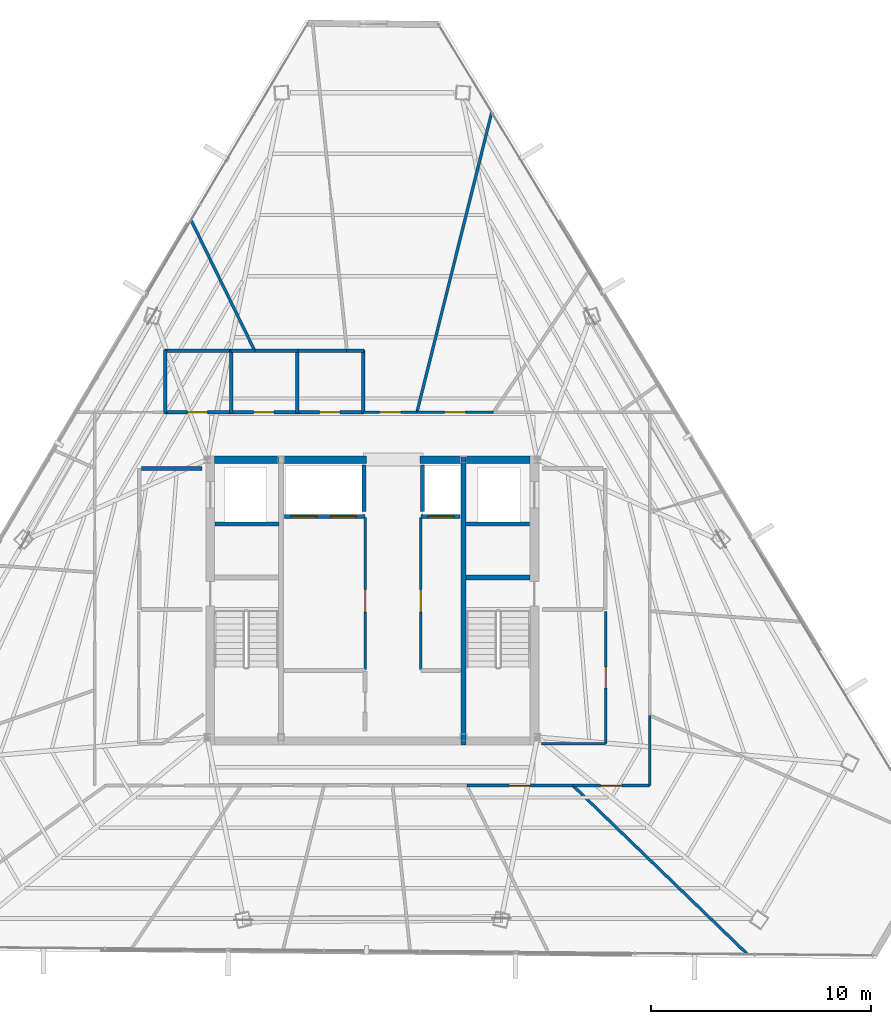
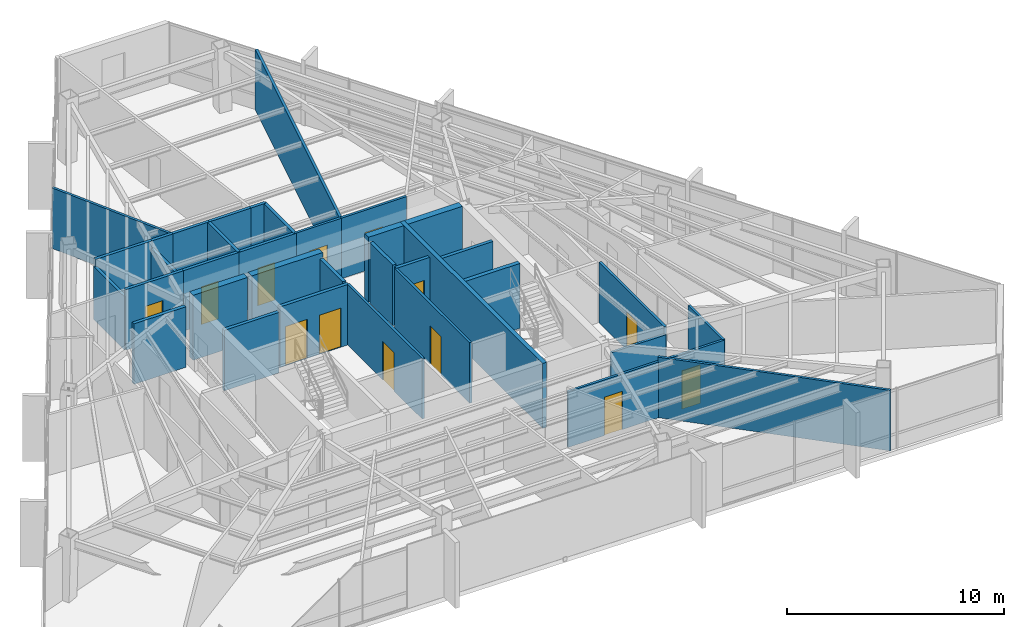
# One storey, part 38 of 42: 37 walls, 13 doors, 13 openings.
"""IFC4 building model written with IfcOpenShell, lengths in metres."""

from ifc_helpers import new_model, si_unit, direction, frame, frame_2d, origin, place, context, subcontext, project, spatial, rectangle, extrude, material, layer, layer_set, type_object, element, fill, save


model = new_model("IFC4")

# Units and contexts
model_context = context("Model", 3, precision=1e-05, world=origin(), true_north=direction((0.0, 1.0)))
body_context = subcontext(model_context, "Body", "Model", "MODEL_VIEW")
ifc_project = project(units=[si_unit("LENGTHUNIT", "METRE"), si_unit("AREAUNIT", "SQUARE_METRE"), si_unit("VOLUMEUNIT", "CUBIC_METRE"), si_unit("PLANEANGLEUNIT", "RADIAN"), si_unit("MASSUNIT", "GRAM", prefix="KILO")], contexts=[model_context])

# Site, building, storey
site_placement = place(None, origin())
site = spatial("IfcSite", under=ifc_project, at=site_placement, CompositionType="ELEMENT")
building_placement = place(site_placement, origin())
building = spatial("IfcBuilding", under=site, at=building_placement, Name="Caelisora Broadcast Tower", CompositionType="ELEMENT")
storey_placement = place(building_placement, frame((0.0, 0.0, 244.449951171875)))
storey = spatial("IfcBuildingStorey", under=building, at=storey_placement, Name="L64", CompositionType="ELEMENT", Elevation=244.449951171875)

# Walls
ifc_material_1 = material(Name="Concrete 40 MPa (AS 3600 N40)", Category="concrete")
ifc_layer_1 = layer(ifc_material_1, 0.35009765625, Name="Concrete 40 MPa (AS 3600 N40)")
ifc_layer_set_1 = layer_set([ifc_layer_1], Name="Concrete 40 MPa (AS 3600 N40)")
wall_type_1 = type_object("IfcWallType", Name="CW6", PredefinedType="SHEAR", material=ifc_layer_set_1)
wall_1_placement = place(storey_placement, frame((30.840087890625, 30.0, 0.0), z_axis=(0.0, 0.0, 1.0), x_axis=(1.0, 0.0, 0.0)))
element("IfcWall", 1, at=wall_1_placement, inside=storey, type_object=wall_type_1, Name="L64 core shear wall CW6", PredefinedType="SHEAR", context=body_context, shape_type="SweptSolid", body=[
    extrude(rectangle(XDim=2.89990234375, YDim=0.35009765625, at=frame_2d((1.449951171875, 0.0))), origin(), (0.0, 0.0, 1.0), 3.650146484375),
])
wall_2_placement = place(storey_placement, frame((33.9599609375, 30.0, 0.0), z_axis=(0.0, 0.0, 1.0), x_axis=(1.0, 0.0, 0.0)))
element("IfcWall", 2, at=wall_2_placement, inside=storey, type_object=wall_type_1, Name="L64 core shear wall CW6", PredefinedType="SHEAR", context=body_context, shape_type="SweptSolid", body=[
    extrude(rectangle(XDim=3.780029296875, YDim=0.35009765625, at=frame_2d((1.89013671875, 0.0))), origin(), (0.0, 0.0, 1.0), 3.650146484375),
])
wall_3_placement = place(storey_placement, frame((40.159912109375, 30.0, 0.0), z_axis=(0.0, 0.0, 1.0), x_axis=(1.0, 0.0, 0.0)))
element("IfcWall", 3, at=wall_3_placement, inside=storey, type_object=wall_type_1, Name="L64 core shear wall CW6", PredefinedType="SHEAR", context=body_context, shape_type="SweptSolid", body=[
    extrude(rectangle(XDim=1.880126953125, YDim=0.35009765625, at=frame_2d((0.93994140625, 0.0))), origin(), (0.0, 0.0, 1.0), 3.650146484375),
])
wall_4_placement = place(storey_placement, frame((42.260009765625, 30.0, 0.0), z_axis=(0.0, 0.0, 1.0), x_axis=(1.0, 0.0, 0.0)))
element("IfcWall", 4, at=wall_4_placement, inside=storey, type_object=wall_type_1, Name="L64 core shear wall CW6", PredefinedType="SHEAR", context=body_context, shape_type="SweptSolid", body=[
    extrude(rectangle(XDim=2.89990234375, YDim=0.35009765625, at=frame_2d((1.449951171875, 0.0))), origin(), (0.0, 0.0, 1.0), 3.650146484375),
])
ifc_material_2 = material(Name="Concrete 50 MPa (AS 3600 S50)", Category="concrete")
ifc_layer_2 = layer(ifc_material_2, 0.219970703125, Name="Concrete 50 MPa (AS 3600 S50)")
ifc_layer_set_2 = layer_set([ifc_layer_2], Name="Concrete 50 MPa (AS 3600 S50)")
wall_type_2 = type_object("IfcWallType", Name="CW7", PredefinedType="SHEAR", material=ifc_layer_set_2)
wall_5_placement = place(storey_placement, frame((42.14990234375, 17.050048828125, 0.0), z_axis=(0.0, 0.0, 1.0), x_axis=(0.0, 1.0, 0.0)))
element("IfcWall", 5, at=wall_5_placement, inside=storey, type_object=wall_type_2, Name="L64 core shear wall CW7", PredefinedType="SHEAR", context=body_context, shape_type="SweptSolid", body=[
    extrude(rectangle(XDim=13.125, YDim=0.219970703125, at=frame_2d((6.5625, 0.0))), origin(), (0.0, 0.0, 1.0), 3.650146484375),
])
wall_6_placement = place(storey_placement, frame((42.260009765625, 24.639892578125, 0.0), z_axis=(0.0, 0.0, 1.0), x_axis=(1.0, 0.0, 0.0)))
element("IfcWall", 6, at=wall_6_placement, inside=storey, type_object=wall_type_2, Name="L64 core shear wall CW7", PredefinedType="SHEAR", context=body_context, shape_type="SweptSolid", body=[
    extrude(rectangle(XDim=2.89990234375, YDim=0.219970703125, at=frame_2d((1.449951171875, 0.0))), origin(), (0.0, 0.0, 1.0), 3.650146484375),
])

# Wall, openings, doors
ifc_material_3 = material(Name="Fire-Rated Gypsum Shaft and Compartment Wall", Category="gypsum")
ifc_layer_3 = layer(ifc_material_3, 0.179931640625, Name="Fire-Rated Gypsum Shaft and Compartment Wall")
ifc_layer_set_3 = layer_set([ifc_layer_3], Name="Fire-Rated Gypsum Shaft and Compartment Wall")
wall_type_3 = type_object("IfcWallType", Name="PW2", PredefinedType="PARTITIONING", material=ifc_layer_set_3)
wall_7_placement = place(storey_placement, frame((34.02001953125, 27.419921875, 0.0), z_axis=(0.0, 0.0, 1.0), x_axis=(1.0, 0.0, 0.0)))
wall_7 = element("IfcWall", 7, at=wall_7_placement, inside=storey, type_object=wall_type_3, Name="L64 fire compartment wall PW2", PredefinedType="PARTITIONING", context=body_context, shape_type="SweptSolid", body=[
    extrude(rectangle(XDim=3.659912109375, YDim=0.179931640625, at=frame_2d((1.830078125, 0.0))), origin(), (0.0, 0.0, 1.0), 3.400146484375),
])
opening_1_placement = place(wall_7_placement, frame((0.300048828125, 0.0, 0.0)))
opening_1 = element("IfcOpeningElement", 8, at=opening_1_placement, cuts=wall_7, Name="Opening LD02", PredefinedType="OPENING", context=body_context, shape_type="SweptSolid", body=[
    extrude(rectangle(XDim=1.14990234375, YDim=2.199951171875, at=frame_2d((0.574951171875, 1.10009765625))), frame((0.0, 0.10205078125, 0.0), z_axis=(0.0, -1.0, 0.0), x_axis=(1.0, 0.0, 0.0)), (0.0, 0.0, 1.0), 0.203857421875),
])
opening_2_placement = place(wall_7_placement, frame((2.10009765625, 0.0, 0.0)))
opening_2 = element("IfcOpeningElement", 9, at=opening_2_placement, cuts=wall_7, Name="Opening LD02", PredefinedType="OPENING", context=body_context, shape_type="SweptSolid", body=[
    extrude(rectangle(XDim=1.14990234375, YDim=2.199951171875, at=frame_2d((0.574951171875, 1.10009765625))), frame((0.0, 0.10205078125, 0.0), z_axis=(0.0, -1.0, 0.0), x_axis=(1.0, 0.0, 0.0)), (0.0, 0.0, 1.0), 0.203857421875),
])
ifc_material_4 = material(Name="High-Speed Express Lift Sliding Landing Door", Category="steel")
door_type_1 = type_object("IfcDoorType", Name="LD02", OperationType="NOTDEFINED", PredefinedType="DOOR", material=ifc_material_4)
door_1_placement = place(opening_1_placement, origin())
door_1 = element("IfcDoor", 10, at=door_1_placement, inside=storey, type_object=door_type_1, Name="L64 door LD02 (L64-LD-PLH1)", OperationType="SLIDING_TO_RIGHT", OverallHeight=2.199951171875, OverallWidth=1.14990234375, PredefinedType="DOOR", context=body_context, shape_type="SweptSolid", body=[
    extrude(rectangle(XDim=1.14990234375, YDim=2.199951171875, at=frame_2d((0.574951171875, 1.10009765625))), frame((0.0, 0.02490234375, 0.0), z_axis=(0.0, -1.0, 0.0), x_axis=(1.0, 0.0, 0.0)), (0.0, 0.0, 1.0), 0.050048828125),
])
fill(opening_1, door_1)
door_2_placement = place(opening_2_placement, origin())
door_2 = element("IfcDoor", 11, at=door_2_placement, inside=storey, type_object=door_type_1, Name="L64 door LD02 (L64-LD-PLH2)", OperationType="SLIDING_TO_LEFT", OverallHeight=2.199951171875, OverallWidth=1.14990234375, PredefinedType="DOOR", context=body_context, shape_type="SweptSolid", body=[
    extrude(rectangle(XDim=1.14990234375, YDim=2.199951171875, at=frame_2d((0.574951171875, 1.10009765625))), frame((0.0, 0.02490234375, 0.0), z_axis=(0.0, -1.0, 0.0), x_axis=(1.0, 0.0, 0.0)), (0.0, 0.0, 1.0), 0.050048828125),
])
fill(opening_2, door_2)

# Wall, opening, door
wall_8_placement = place(storey_placement, frame((40.219970703125, 27.419921875, 0.0), z_axis=(0.0, 0.0, 1.0), x_axis=(1.0, 0.0, 0.0)))
wall_8 = element("IfcWall", 12, at=wall_8_placement, inside=storey, type_object=wall_type_3, Name="L64 fire compartment wall PW2", PredefinedType="PARTITIONING", context=body_context, shape_type="SweptSolid", body=[
    extrude(rectangle(XDim=1.760009765625, YDim=0.179931640625, at=frame_2d((0.8798828125, 0.0))), origin(), (0.0, 0.0, 1.0), 3.400146484375),
])
opening_3_placement = place(wall_8_placement, frame((0.320068359375, 0.0, 0.0)))
opening_3 = element("IfcOpeningElement", 13, at=opening_3_placement, cuts=wall_8, Name="Opening LD02", PredefinedType="OPENING", context=body_context, shape_type="SweptSolid", body=[
    extrude(rectangle(XDim=1.14990234375, YDim=2.199951171875, at=frame_2d((0.574951171875, 1.10009765625))), frame((0.0, 0.10205078125, 0.0), z_axis=(0.0, -1.0, 0.0), x_axis=(1.0, 0.0, 0.0)), (0.0, 0.0, 1.0), 0.203857421875),
])
door_3_placement = place(opening_3_placement, origin())
door_3 = element("IfcDoor", 14, at=door_3_placement, inside=storey, type_object=door_type_1, Name="L64 door LD02 (L64-LD-PLH3)", OperationType="SLIDING_TO_RIGHT", OverallHeight=2.199951171875, OverallWidth=1.14990234375, PredefinedType="DOOR", context=body_context, shape_type="SweptSolid", body=[
    extrude(rectangle(XDim=1.14990234375, YDim=2.199951171875, at=frame_2d((0.574951171875, 1.10009765625))), frame((0.0, 0.02490234375, 0.0), z_axis=(0.0, -1.0, 0.0), x_axis=(1.0, 0.0, 0.0)), (0.0, 0.0, 1.0), 0.050048828125),
])
fill(opening_3, door_3)

# Walls
for number, where, z_axis, x_axis, name in (
    (15, (37.6201171875, 27.639892578125, 0.0), (0.0, 0.0, 1.0), (0.0, 1.0, 0.0), "L64 fire compartment wall PW2"),
    (16, (40.280029296875, 27.639892578125, 0.0), (0.0, 0.0, 1.0), (0.0, 1.0, 0.0), "L64 fire compartment wall PW2"),
):
    element("IfcWall", number, at=place(storey_placement, frame(where, z_axis=z_axis, x_axis=x_axis)), inside=storey, type_object=wall_type_3, Name=name, PredefinedType="PARTITIONING", context=body_context, shape_type="SweptSolid", body=[
        extrude(rectangle(XDim=2.110107421875, YDim=0.179931640625, at=frame_2d((1.05517578125, 0.0))), origin(), (0.0, 0.0, 1.0), 3.400146484375),
    ])
wall_9_placement = place(storey_placement, frame((27.52001953125, 29.60009765625, 0.0), z_axis=(0.0, 0.0, 1.0), x_axis=(1.0, 0.0, 0.0)))
element("IfcWall", 17, at=wall_9_placement, inside=storey, type_object=wall_type_3, Name="L64 fire compartment wall PW2", PredefinedType="PARTITIONING", context=body_context, shape_type="SweptSolid", body=[
    extrude(rectangle(XDim=2.760009765625, YDim=0.179931640625, at=frame_2d((1.3798828125, 0.0))), origin(), (0.0, 0.0, 1.0), 3.400146484375),
])
for number, where, z_axis, x_axis, name in (
    (18, (30.860107421875, 27.070068359375, 0.0), (0.0, 0.0, 1.0), (1.0, 0.0, 0.0), "L64 fire compartment wall PW2"),
    (19, (42.239990234375, 27.070068359375, 0.0), (0.0, 0.0, 1.0), (1.0, 0.0, 0.0), "L64 fire compartment wall PW2"),
):
    element("IfcWall", number, at=place(storey_placement, frame(where, z_axis=z_axis, x_axis=x_axis)), inside=storey, type_object=wall_type_3, Name=name, PredefinedType="PARTITIONING", context=body_context, shape_type="SweptSolid", body=[
        extrude(rectangle(XDim=2.89990234375, YDim=0.179931640625, at=frame_2d((1.449951171875, 0.0))), origin(), (0.0, 0.0, 1.0), 3.400146484375),
    ])

# Wall, opening, door
ifc_material_5 = material(Name="Acoustic Steel-Stud Plasterboard Partition", Category="gypsum")
ifc_layer_4 = layer(ifc_material_5, 0.1298828125, Name="Acoustic Steel-Stud Plasterboard Partition")
ifc_layer_set_4 = layer_set([ifc_layer_4], Name="Acoustic Steel-Stud Plasterboard Partition")
wall_type_4 = type_object("IfcWallType", Name="PW3", PredefinedType="PARTITIONING", material=ifc_layer_set_4)
wall_10_placement = place(storey_placement, frame((37.679931640625, 20.47998046875, 0.0), z_axis=(0.0, 0.0, 1.0), x_axis=(0.0, 1.0, 0.0)))
wall_10 = element("IfcWall", 20, at=wall_10_placement, inside=storey, type_object=wall_type_4, Name="L64 internal partition PW3", PredefinedType="PARTITIONING", context=body_context, shape_type="SweptSolid", body=[
    extrude(rectangle(XDim=6.89990234375, YDim=0.1298828125, at=frame_2d((3.449951171875, 0.0))), origin(), (0.0, 0.0, 1.0), 3.400146484375),
])
opening_4_placement = place(wall_10_placement, frame((2.60009765625, 0.0, 0.0)))
opening_4 = element("IfcOpeningElement", 21, at=opening_4_placement, cuts=wall_10, Name="Opening D02", PredefinedType="OPENING", context=body_context, shape_type="SweptSolid", body=[
    extrude(rectangle(XDim=1.02001953125, YDim=2.14990234375, at=frame_2d((0.510009765625, 1.074951171875))), frame((0.0, 0.076904296875, 0.0), z_axis=(0.0, -1.0, 0.0), x_axis=(1.0, 0.0, 0.0)), (0.0, 0.0, 1.0), 0.15380859375),
])
ifc_material_6 = material(Name="Solid-Core Timber Archive Suite Door", Category="wood")
door_type_2 = type_object("IfcDoorType", Name="D02", OperationType="NOTDEFINED", PredefinedType="DOOR", material=ifc_material_6)
door_4_placement = place(opening_4_placement, origin())
door_4 = element("IfcDoor", 22, at=door_4_placement, inside=storey, type_object=door_type_2, Name="L64 door D02 (L64-DR-P11D1)", OperationType="SINGLE_SWING_LEFT", OverallHeight=2.14990234375, OverallWidth=1.02001953125, PredefinedType="DOOR", context=body_context, shape_type="SweptSolid", body=[
    extrude(rectangle(XDim=1.02001953125, YDim=2.14990234375, at=frame_2d((0.510009765625, 1.074951171875))), frame((0.0, 0.02490234375, 0.0), z_axis=(0.0, -1.0, 0.0), x_axis=(1.0, 0.0, 0.0)), (0.0, 0.0, 1.0), 0.050048828125),
])
fill(opening_4, door_4)

wall_11_placement = place(storey_placement, frame((40.199951171875, 20.47998046875, 0.0), z_axis=(0.0, 0.0, 1.0), x_axis=(0.0, 1.0, 0.0)))
wall_11 = element("IfcWall", 23, at=wall_11_placement, inside=storey, type_object=wall_type_4, Name="L64 internal partition PW3", PredefinedType="PARTITIONING", context=body_context, shape_type="SweptSolid", body=[
    extrude(rectangle(XDim=6.89990234375, YDim=0.1298828125, at=frame_2d((3.449951171875, 0.0))), origin(), (0.0, 0.0, 1.0), 3.400146484375),
])
opening_5_placement = place(wall_11_placement, frame((2.60009765625, 0.0, 0.0)))
opening_5 = element("IfcOpeningElement", 24, at=opening_5_placement, cuts=wall_11, Name="Opening D02", PredefinedType="OPENING", context=body_context, shape_type="SweptSolid", body=[
    extrude(rectangle(XDim=1.02001953125, YDim=2.14990234375, at=frame_2d((0.510009765625, 1.074951171875))), frame((0.0, 0.076904296875, 0.0), z_axis=(0.0, -1.0, 0.0), x_axis=(1.0, 0.0, 0.0)), (0.0, 0.0, 1.0), 0.15380859375),
])
door_5_placement = place(opening_5_placement, origin())
door_5 = element("IfcDoor", 25, at=door_5_placement, inside=storey, type_object=door_type_2, Name="L64 door D02 (L64-DR-P12D1)", OperationType="SINGLE_SWING_RIGHT", OverallHeight=2.14990234375, OverallWidth=1.02001953125, PredefinedType="DOOR", context=body_context, shape_type="SweptSolid", body=[
    extrude(rectangle(XDim=1.02001953125, YDim=2.14990234375, at=frame_2d((0.510009765625, 1.074951171875))), frame((0.0, 0.02490234375, 0.0), z_axis=(0.0, -1.0, 0.0), x_axis=(1.0, 0.0, 0.0)), (0.0, 0.0, 1.0), 0.050048828125),
])
fill(opening_5, door_5)

# Walls
wall_12_placement = place(storey_placement, frame((40.031005859375, 32.155029296875, 0.0), z_axis=(0.0, 0.0, 1.0), x_axis=(0.241893583746, 0.970302784775, 0.0)))
element("IfcWall", 26, at=wall_12_placement, inside=storey, type_object=wall_type_4, Name="L64 internal partition PW3", PredefinedType="PARTITIONING", context=body_context, shape_type="SweptSolid", body=[
    extrude(rectangle(XDim=14.04833984375, YDim=0.1298828125, at=frame_2d((7.024169921875, 0.0))), origin(), (0.0, 0.0, 1.0), 3.400146484375),
])
wall_13_placement = place(storey_placement, frame((47.114013671875, 15.197021484375, 0.0), z_axis=(0.0, 0.0, 1.0), x_axis=(0.71904367007, -0.694964891583, 0.0)))
element("IfcWall", 27, at=wall_13_placement, inside=storey, type_object=wall_type_4, Name="L64 internal partition PW3", PredefinedType="PARTITIONING", context=body_context, shape_type="SweptSolid", body=[
    extrude(rectangle(XDim=11.031494140625, YDim=0.1298828125, at=frame_2d((5.515625, 0.0))), origin(), (0.0, 0.0, 1.0), 3.400146484375),
])
wall_14_placement = place(storey_placement, frame((29.767578125, 40.88232421875, 0.0), z_axis=(0.0, 0.0, 1.0), x_axis=(0.438247858151, -0.898854167719, 0.0)))
element("IfcWall", 28, at=wall_14_placement, inside=storey, type_object=wall_type_4, Name="L64 internal partition PW3", PredefinedType="PARTITIONING", context=body_context, shape_type="SweptSolid", body=[
    extrude(rectangle(XDim=6.59521484375, YDim=0.1298828125, at=frame_2d((3.297607421875, 0.0))), origin(), (0.0, 0.0, 1.0), 3.400146484375),
])

# Wall, opening, door
wall_15_placement = place(storey_placement, frame((48.60009765625, 17.10498046875, 0.0), z_axis=(0.0, 0.0, 1.0), x_axis=(0.0, 1.0, 0.0)))
wall_15 = element("IfcWall", 29, at=wall_15_placement, inside=storey, type_object=wall_type_4, Name="L64 internal partition PW3", PredefinedType="PARTITIONING", context=body_context, shape_type="SweptSolid", body=[
    extrude(rectangle(XDim=6.0, YDim=0.1298828125, at=frame_2d((3.0, 0.0))), origin(), (0.0, 0.0, 1.0), 3.400146484375),
])
opening_6_placement = place(wall_15_placement, frame((2.52001953125, 0.0, 0.0)))
opening_6 = element("IfcOpeningElement", 30, at=opening_6_placement, cuts=wall_15, Name="Opening D01", PredefinedType="OPENING", context=body_context, shape_type="SweptSolid", body=[
    extrude(rectangle(XDim=0.9599609375, YDim=2.14990234375, at=frame_2d((0.47998046875, 1.074951171875))), frame((0.0, 0.076904296875, 0.0), z_axis=(0.0, -1.0, 0.0), x_axis=(1.0, 0.0, 0.0)), (0.0, 0.0, 1.0), 0.15380859375),
])
ifc_material_7 = material(Name="Solid-Core Timber Acoustic Office Door", Category="wood")
door_type_3 = type_object("IfcDoorType", Name="D01", OperationType="NOTDEFINED", PredefinedType="DOOR", material=ifc_material_7)
door_6_placement = place(opening_6_placement, origin())
door_6 = element("IfcDoor", 31, at=door_6_placement, inside=storey, type_object=door_type_3, Name="L64 door D01 (L64-DR-P43D1)", OperationType="SINGLE_SWING_RIGHT", OverallHeight=2.14990234375, OverallWidth=0.9599609375, PredefinedType="DOOR", context=body_context, shape_type="SweptSolid", body=[
    extrude(rectangle(XDim=0.9599609375, YDim=2.14990234375, at=frame_2d((0.47998046875, 1.074951171875))), frame((0.0, 0.02490234375, 0.0), z_axis=(0.0, -1.0, 0.0), x_axis=(1.0, 0.0, 0.0)), (0.0, 0.0, 1.0), 0.050048828125),
])
fill(opening_6, door_6)

wall_16_placement = place(storey_placement, frame((42.294921875, 15.199951171875, 0.0), z_axis=(0.0, 0.0, 1.0), x_axis=(1.0, 0.0, 0.0)))
wall_16 = element("IfcWall", 32, at=wall_16_placement, inside=storey, type_object=wall_type_4, Name="L64 internal partition PW3", PredefinedType="PARTITIONING", context=body_context, shape_type="SweptSolid", body=[
    extrude(rectangle(XDim=4.81005859375, YDim=0.1298828125, at=frame_2d((2.405029296875, 0.0))), origin(), (0.0, 0.0, 1.0), 3.12890625),
])
opening_7_placement = place(wall_16_placement, frame((1.925048828125, 0.0, 0.0)))
opening_7 = element("IfcOpeningElement", 33, at=opening_7_placement, cuts=wall_16, Name="Opening D01", PredefinedType="OPENING", context=body_context, shape_type="SweptSolid", body=[
    extrude(rectangle(XDim=0.9599609375, YDim=2.14990234375, at=frame_2d((0.47998046875, 1.074951171875))), frame((0.0, 0.076904296875, 0.0), z_axis=(0.0, -1.0, 0.0), x_axis=(1.0, 0.0, 0.0)), (0.0, 0.0, 1.0), 0.15380859375),
])
door_7_placement = place(opening_7_placement, origin())
door_7 = element("IfcDoor", 34, at=door_7_placement, inside=storey, type_object=door_type_3, Name="L64 door D01 (L64-DR-P47D1)", OperationType="SINGLE_SWING_LEFT", OverallHeight=2.14990234375, OverallWidth=0.9599609375, PredefinedType="DOOR", context=body_context, shape_type="SweptSolid", body=[
    extrude(rectangle(XDim=0.9599609375, YDim=2.14990234375, at=frame_2d((0.47998046875, 1.074951171875))), frame((0.0, 0.02490234375, 0.0), z_axis=(0.0, -1.0, 0.0), x_axis=(1.0, 0.0, 0.0)), (0.0, 0.0, 1.0), 0.050048828125),
])
fill(opening_7, door_7)

wall_17_placement = place(storey_placement, frame((47.114990234375, 15.199951171875, 0.0), z_axis=(0.0, 0.0, 1.0), x_axis=(1.0, 0.0, 0.0)))
wall_17 = element("IfcWall", 35, at=wall_17_placement, inside=storey, type_object=wall_type_4, Name="L64 internal partition PW3", PredefinedType="PARTITIONING", context=body_context, shape_type="SweptSolid", body=[
    extrude(rectangle(XDim=3.47998046875, YDim=0.1298828125, at=frame_2d((1.739990234375, 0.0))), origin(), (0.0, 0.0, 1.0), 3.12890625),
])
opening_8_placement = place(wall_17_placement, frame((1.260009765625, 0.0, 0.0)))
opening_8 = element("IfcOpeningElement", 36, at=opening_8_placement, cuts=wall_17, Name="Opening D01", PredefinedType="OPENING", context=body_context, shape_type="SweptSolid", body=[
    extrude(rectangle(XDim=0.9599609375, YDim=2.14990234375, at=frame_2d((0.47998046875, 1.074951171875))), frame((0.0, 0.076904296875, 0.0), z_axis=(0.0, -1.0, 0.0), x_axis=(1.0, 0.0, 0.0)), (0.0, 0.0, 1.0), 0.15380859375),
])
door_8_placement = place(opening_8_placement, origin())
door_8 = element("IfcDoor", 37, at=door_8_placement, inside=storey, type_object=door_type_3, Name="L64 door D01 (L64-DR-P55D1)", OperationType="SINGLE_SWING_RIGHT", OverallHeight=2.14990234375, OverallWidth=0.9599609375, PredefinedType="DOOR", context=body_context, shape_type="SweptSolid", body=[
    extrude(rectangle(XDim=0.9599609375, YDim=2.14990234375, at=frame_2d((0.47998046875, 1.074951171875))), frame((0.0, 0.02490234375, 0.0), z_axis=(0.0, -1.0, 0.0), x_axis=(1.0, 0.0, 0.0)), (0.0, 0.0, 1.0), 0.050048828125),
])
fill(opening_8, door_8)

wall_18_placement = place(storey_placement, frame((40.034912109375, 32.14990234375, 0.0), z_axis=(0.0, 0.0, 1.0), x_axis=(1.0, 0.0, 0.0)))
wall_18 = element("IfcWall", 38, at=wall_18_placement, inside=storey, type_object=wall_type_4, Name="L64 internal partition PW3", PredefinedType="PARTITIONING", context=body_context, shape_type="SweptSolid", body=[
    extrude(rectangle(XDim=3.460205078125, YDim=0.1298828125, at=frame_2d((1.72998046875, 0.0))), origin(), (0.0, 0.0, 1.0), 3.400146484375),
])
opening_9_placement = place(wall_18_placement, frame((1.25, 0.0, 0.0)))
opening_9 = element("IfcOpeningElement", 39, at=opening_9_placement, cuts=wall_18, Name="Opening D01", PredefinedType="OPENING", context=body_context, shape_type="SweptSolid", body=[
    extrude(rectangle(XDim=0.9599609375, YDim=2.14990234375, at=frame_2d((0.47998046875, 1.074951171875))), frame((0.0, 0.076904296875, 0.0), z_axis=(0.0, -1.0, 0.0), x_axis=(1.0, 0.0, 0.0)), (0.0, 0.0, 1.0), 0.15380859375),
])
door_9_placement = place(opening_9_placement, origin())
door_9 = element("IfcDoor", 40, at=door_9_placement, inside=storey, type_object=door_type_3, Name="L64 door D01 (L64-DR-P56D1)", OperationType="SINGLE_SWING_LEFT", OverallHeight=2.14990234375, OverallWidth=0.9599609375, PredefinedType="DOOR", context=body_context, shape_type="SweptSolid", body=[
    extrude(rectangle(XDim=0.9599609375, YDim=2.14990234375, at=frame_2d((0.47998046875, 1.074951171875))), frame((0.0, 0.02490234375, 0.0), z_axis=(0.0, -1.0, 0.0), x_axis=(1.0, 0.0, 0.0)), (0.0, 0.0, 1.0), 0.050048828125),
])
fill(opening_9, door_9)

# Walls
wall_19_placement = place(storey_placement, frame((50.60009765625, 15.205078125, 0.0), z_axis=(0.0, 0.0, 1.0), x_axis=(0.0, 1.0, 0.0)))
element("IfcWall", 41, at=wall_19_placement, inside=storey, type_object=wall_type_4, Name="L64 internal partition PW3", PredefinedType="PARTITIONING", context=body_context, shape_type="SweptSolid", body=[
    extrude(rectangle(XDim=3.179931640625, YDim=0.1298828125, at=frame_2d((1.58984375, 0.0))), origin(), (0.0, 0.0, 1.0), 3.12890625),
])
wall_20_placement = place(storey_placement, frame((45.675048828125, 17.10009765625, 0.0), z_axis=(0.0, 0.0, 1.0), x_axis=(1.0, 0.0, 0.0)))
element("IfcWall", 42, at=wall_20_placement, inside=storey, type_object=wall_type_4, Name="L64 internal partition PW3", PredefinedType="PARTITIONING", context=body_context, shape_type="SweptSolid", body=[
    extrude(rectangle(XDim=2.919921875, YDim=0.1298828125, at=frame_2d((1.4599609375, 0.0))), origin(), (0.0, 0.0, 1.0), 2.985107421875),
])

# Wall, opening, door
wall_21_placement = place(storey_placement, frame((37.60498046875, 32.14990234375, 0.0), z_axis=(0.0, 0.0, 1.0), x_axis=(1.0, 0.0, 0.0)))
wall_21 = element("IfcWall", 43, at=wall_21_placement, inside=storey, type_object=wall_type_4, Name="L64 internal partition PW3", PredefinedType="PARTITIONING", context=body_context, shape_type="SweptSolid", body=[
    extrude(rectangle(XDim=2.419921875, YDim=0.1298828125, at=frame_2d((1.2099609375, 0.0))), origin(), (0.0, 0.0, 1.0), 3.400146484375),
])
opening_10_placement = place(wall_21_placement, frame((0.72998046875, 0.0, 0.0)))
opening_10 = element("IfcOpeningElement", 44, at=opening_10_placement, cuts=wall_21, Name="Opening D01", PredefinedType="OPENING", context=body_context, shape_type="SweptSolid", body=[
    extrude(rectangle(XDim=0.9599609375, YDim=2.14990234375, at=frame_2d((0.47998046875, 1.074951171875))), frame((0.0, 0.076904296875, 0.0), z_axis=(0.0, -1.0, 0.0), x_axis=(1.0, 0.0, 0.0)), (0.0, 0.0, 1.0), 0.15380859375),
])
door_10_placement = place(opening_10_placement, origin())
door_10 = element("IfcDoor", 45, at=door_10_placement, inside=storey, type_object=door_type_3, Name="L64 door D01 (L64-DR-P63D1)", OperationType="SINGLE_SWING_LEFT", OverallHeight=2.14990234375, OverallWidth=0.9599609375, PredefinedType="DOOR", context=body_context, shape_type="SweptSolid", body=[
    extrude(rectangle(XDim=0.9599609375, YDim=2.14990234375, at=frame_2d((0.47998046875, 1.074951171875))), frame((0.0, 0.02490234375, 0.0), z_axis=(0.0, -1.0, 0.0), x_axis=(1.0, 0.0, 0.0)), (0.0, 0.0, 1.0), 0.050048828125),
])
fill(opening_10, door_10)

ifc_material_8 = material(Name="Moisture-Resistant Wet Plumbing Service Wall", Category="gypsum")
ifc_layer_5 = layer(ifc_material_8, 0.159912109375, Name="Moisture-Resistant Wet Plumbing Service Wall")
ifc_layer_set_5 = layer_set([ifc_layer_5], Name="Moisture-Resistant Wet Plumbing Service Wall")
wall_type_5 = type_object("IfcWallType", Name="PW4", PredefinedType="PLUMBINGWALL", material=ifc_layer_set_5)
wall_22_placement = place(storey_placement, frame((28.574951171875, 32.14990234375, 0.0), z_axis=(0.0, 0.0, 1.0), x_axis=(1.0, 0.0, 0.0)))
wall_22 = element("IfcWall", 46, at=wall_22_placement, inside=storey, type_object=wall_type_5, Name="L64 wet plumbing wall PW4", PredefinedType="PLUMBINGWALL", context=body_context, shape_type="SweptSolid", body=[
    extrude(rectangle(XDim=3.050048828125, YDim=0.159912109375, at=frame_2d((1.52490234375, 0.0))), origin(), (0.0, 0.0, 1.0), 3.400146484375),
])
opening_11_placement = place(wall_22_placement, frame((1.034912109375, 0.0, 0.0)))
opening_11 = element("IfcOpeningElement", 47, at=opening_11_placement, cuts=wall_22, Name="Opening D03", PredefinedType="OPENING", context=body_context, shape_type="SweptSolid", body=[
    extrude(rectangle(XDim=0.919921875, YDim=2.10009765625, at=frame_2d((0.4599609375, 1.050048828125))), frame((0.0, 0.092041015625, 0.0), z_axis=(0.0, -1.0, 0.0), x_axis=(1.0, 0.0, 0.0)), (0.0, 0.0, 1.0), 0.183837890625),
])
ifc_material_9 = material(Name="Laminate Moisture-Resistant Amenity WC Door", Category="wood")
door_type_4 = type_object("IfcDoorType", Name="D03", OperationType="NOTDEFINED", PredefinedType="DOOR", material=ifc_material_9)
door_11_placement = place(opening_11_placement, origin())
door_11 = element("IfcDoor", 48, at=door_11_placement, inside=storey, type_object=door_type_4, Name="L64 door D03 (L64-DR-P14D1)", OperationType="SINGLE_SWING_RIGHT", OverallHeight=2.10009765625, OverallWidth=0.919921875, PredefinedType="DOOR", context=body_context, shape_type="SweptSolid", body=[
    extrude(rectangle(XDim=0.919921875, YDim=2.10009765625, at=frame_2d((0.4599609375, 1.050048828125))), frame((0.0, 0.02490234375, 0.0), z_axis=(0.0, -1.0, 0.0), x_axis=(1.0, 0.0, 0.0)), (0.0, 0.0, 1.0), 0.050048828125),
])
fill(opening_11, door_11)

wall_23_placement = place(storey_placement, frame((31.574951171875, 32.14990234375, 0.0), z_axis=(0.0, 0.0, 1.0), x_axis=(1.0, 0.0, 0.0)))
wall_23 = element("IfcWall", 49, at=wall_23_placement, inside=storey, type_object=wall_type_5, Name="L64 wet plumbing wall PW4", PredefinedType="PLUMBINGWALL", context=body_context, shape_type="SweptSolid", body=[
    extrude(rectangle(XDim=3.050048828125, YDim=0.159912109375, at=frame_2d((1.52490234375, 0.0))), origin(), (0.0, 0.0, 1.0), 3.400146484375),
])
opening_12_placement = place(wall_23_placement, frame((1.034912109375, 0.0, 0.0)))
opening_12 = element("IfcOpeningElement", 50, at=opening_12_placement, cuts=wall_23, Name="Opening D03", PredefinedType="OPENING", context=body_context, shape_type="SweptSolid", body=[
    extrude(rectangle(XDim=0.919921875, YDim=2.10009765625, at=frame_2d((0.4599609375, 1.050048828125))), frame((0.0, 0.092041015625, 0.0), z_axis=(0.0, -1.0, 0.0), x_axis=(1.0, 0.0, 0.0)), (0.0, 0.0, 1.0), 0.183837890625),
])
door_12_placement = place(opening_12_placement, origin())
door_12 = element("IfcDoor", 51, at=door_12_placement, inside=storey, type_object=door_type_4, Name="L64 door D03 (L64-DR-P15D1)", OperationType="SINGLE_SWING_LEFT", OverallHeight=2.10009765625, OverallWidth=0.919921875, PredefinedType="DOOR", context=body_context, shape_type="SweptSolid", body=[
    extrude(rectangle(XDim=0.919921875, YDim=2.10009765625, at=frame_2d((0.4599609375, 1.050048828125))), frame((0.0, 0.02490234375, 0.0), z_axis=(0.0, -1.0, 0.0), x_axis=(1.0, 0.0, 0.0)), (0.0, 0.0, 1.0), 0.050048828125),
])
fill(opening_12, door_12)

wall_24_placement = place(storey_placement, frame((34.574951171875, 32.14990234375, 0.0), z_axis=(0.0, 0.0, 1.0), x_axis=(1.0, 0.0, 0.0)))
wall_24 = element("IfcWall", 52, at=wall_24_placement, inside=storey, type_object=wall_type_5, Name="L64 wet plumbing wall PW4", PredefinedType="PLUMBINGWALL", context=body_context, shape_type="SweptSolid", body=[
    extrude(rectangle(XDim=3.050048828125, YDim=0.159912109375, at=frame_2d((1.52490234375, 0.0))), origin(), (0.0, 0.0, 1.0), 3.400146484375),
])
opening_13_placement = place(wall_24_placement, frame((1.034912109375, 0.0, 0.0)))
opening_13 = element("IfcOpeningElement", 53, at=opening_13_placement, cuts=wall_24, Name="Opening D03", PredefinedType="OPENING", context=body_context, shape_type="SweptSolid", body=[
    extrude(rectangle(XDim=0.919921875, YDim=2.10009765625, at=frame_2d((0.4599609375, 1.050048828125))), frame((0.0, 0.092041015625, 0.0), z_axis=(0.0, -1.0, 0.0), x_axis=(1.0, 0.0, 0.0)), (0.0, 0.0, 1.0), 0.183837890625),
])
door_13_placement = place(opening_13_placement, origin())
door_13 = element("IfcDoor", 54, at=door_13_placement, inside=storey, type_object=door_type_4, Name="L64 door D03 (L64-DR-P16D1)", OperationType="SINGLE_SWING_RIGHT", OverallHeight=2.10009765625, OverallWidth=0.919921875, PredefinedType="DOOR", context=body_context, shape_type="SweptSolid", body=[
    extrude(rectangle(XDim=0.919921875, YDim=2.10009765625, at=frame_2d((0.4599609375, 1.050048828125))), frame((0.0, 0.02490234375, 0.0), z_axis=(0.0, -1.0, 0.0), x_axis=(1.0, 0.0, 0.0)), (0.0, 0.0, 1.0), 0.050048828125),
])
fill(opening_13, door_13)

# Walls
wall_25_placement = place(storey_placement, frame((28.574951171875, 34.949951171875, 0.0), z_axis=(0.0, 0.0, 1.0), x_axis=(1.0, 0.0, 0.0)))
element("IfcWall", 55, at=wall_25_placement, inside=storey, type_object=wall_type_5, Name="L64 wet plumbing wall PW4", PredefinedType="PLUMBINGWALL", context=body_context, shape_type="SweptSolid", body=[
    extrude(rectangle(XDim=3.050048828125, YDim=0.159912109375, at=frame_2d((1.52490234375, 0.0))), origin(), (0.0, 0.0, 1.0), 3.400146484375),
])
for number, where, z_axis, x_axis, name in (
    (56, (31.60009765625, 32.125, 0.0), (0.0, 0.0, 1.0), (0.0, 1.0, 0.0), "L64 wet plumbing wall PW4"),
    (57, (28.60009765625, 32.125, 0.0), (0.0, 0.0, 1.0), (0.0, 1.0, 0.0), "L64 wet plumbing wall PW4"),
):
    element("IfcWall", number, at=place(storey_placement, frame(where, z_axis=z_axis, x_axis=x_axis)), inside=storey, type_object=wall_type_5, Name=name, PredefinedType="PLUMBINGWALL", context=body_context, shape_type="SweptSolid", body=[
        extrude(rectangle(XDim=2.85009765625, YDim=0.159912109375, at=frame_2d((1.425048828125, 0.0))), origin(), (0.0, 0.0, 1.0), 2.985107421875),
    ])
for number, where, z_axis, x_axis, name in (
    (58, (34.60009765625, 32.125, 0.0), (0.0, 0.0, 1.0), (0.0, 1.0, 0.0), "L64 wet plumbing wall PW4"),
    (59, (37.60009765625, 32.125, 0.0), (0.0, 0.0, 1.0), (0.0, 1.0, 0.0), "L64 wet plumbing wall PW4"),
):
    element("IfcWall", number, at=place(storey_placement, frame(where, z_axis=z_axis, x_axis=x_axis)), inside=storey, type_object=wall_type_5, Name=name, PredefinedType="PLUMBINGWALL", context=body_context, shape_type="SweptSolid", body=[
        extrude(rectangle(XDim=2.85009765625, YDim=0.159912109375, at=frame_2d((1.425048828125, 0.0))), origin(), (0.0, 0.0, 1.0), 3.400146484375),
    ])
wall_26_placement = place(storey_placement, frame((34.574951171875, 34.949951171875, 0.0), z_axis=(0.0, 0.0, 1.0), x_axis=(1.0, 0.0, 0.0)))
element("IfcWall", 60, at=wall_26_placement, inside=storey, type_object=wall_type_5, Name="L64 wet plumbing wall PW4", PredefinedType="PLUMBINGWALL", context=body_context, shape_type="SweptSolid", body=[
    extrude(rectangle(XDim=2.300048828125, YDim=0.159912109375, at=frame_2d((1.14990234375, 0.0))), origin(), (0.0, 0.0, 1.0), 3.400146484375),
])
wall_27_placement = place(storey_placement, frame((32.635009765625, 34.949951171875, 0.0), z_axis=(0.0, 0.0, 1.0), x_axis=(1.0, 0.0, 0.0)))
element("IfcWall", 61, at=wall_27_placement, inside=storey, type_object=wall_type_5, Name="L64 wet plumbing wall PW4", PredefinedType="PLUMBINGWALL", context=body_context, shape_type="SweptSolid", body=[
    extrude(rectangle(XDim=1.989990234375, YDim=0.159912109375, at=frame_2d((0.9951171875, 0.0))), origin(), (0.0, 0.0, 1.0), 3.400146484375),
])
wall_28_placement = place(storey_placement, frame((31.574951171875, 34.949951171875, 0.0), z_axis=(0.0, 0.0, 1.0), x_axis=(1.0, 0.0, 0.0)))
element("IfcWall", 62, at=wall_28_placement, inside=storey, type_object=wall_type_5, Name="L64 wet plumbing wall PW4", PredefinedType="PLUMBINGWALL", context=body_context, shape_type="SweptSolid", body=[
    extrude(rectangle(XDim=1.110107421875, YDim=0.159912109375, at=frame_2d((0.55517578125, 0.0))), origin(), (0.0, 0.0, 1.0), 3.400146484375),
])
wall_29_placement = place(storey_placement, frame((37.625, 34.949951171875, 0.0), z_axis=(0.0, 0.0, 1.0), x_axis=(-1.0, 0.0, 0.0)))
element("IfcWall", 63, at=wall_29_placement, inside=storey, type_object=wall_type_5, Name="L64 wet plumbing wall PW4", PredefinedType="PLUMBINGWALL", context=body_context, shape_type="SweptSolid", body=[
    extrude(rectangle(XDim=0.800048828125, YDim=0.159912109375, at=frame_2d((0.39990234375, 0.0))), origin(), (0.0, 0.0, 1.0), 3.400146484375),
])

save(model, "model.ifc")
